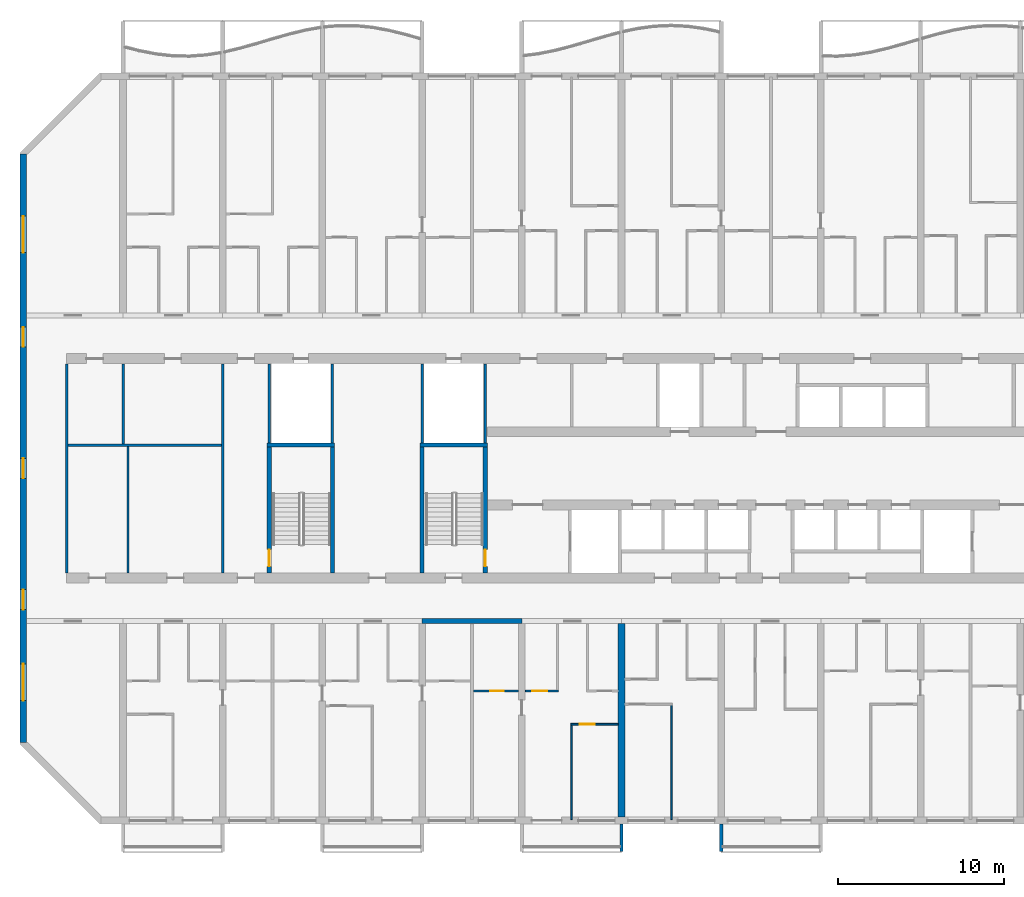
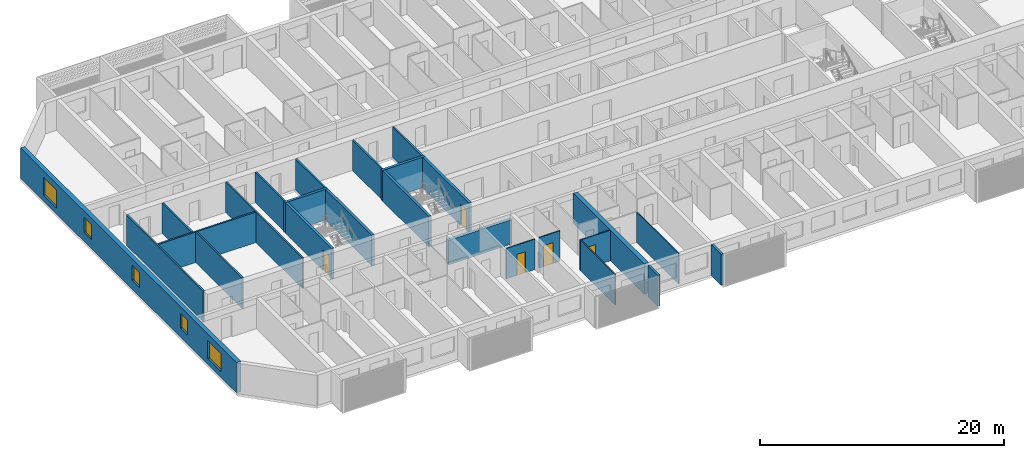
# One storey, part 3 of 39: 25 walls, 5 doors, 5 windows, 10 openings.
"""IFC4 building model written with IfcOpenShell, lengths in metres."""

from ifc_helpers import new_model, si_unit, direction, frame, frame_2d, origin, place, context, subcontext, project, spatial, polyline, rectangle, outline, extrude, source, transform, mapped, material, layer, layer_set, type_object, element, fill, save


model = new_model("IFC4")

# Units and contexts
model_context = context("Model", 3, precision=1e-05, world=origin(), true_north=direction((0.0, 1.0)))
body_context = subcontext(model_context, "Body", "Model", "MODEL_VIEW")
ifc_project = project(units=[si_unit("LENGTHUNIT", "METRE"), si_unit("AREAUNIT", "SQUARE_METRE"), si_unit("VOLUMEUNIT", "CUBIC_METRE"), si_unit("PLANEANGLEUNIT", "RADIAN"), si_unit("MASSUNIT", "GRAM", prefix="KILO")], contexts=[model_context])

# Site, building, storey
site_placement = place(None, origin())
site = spatial("IfcSite", under=ifc_project, at=site_placement, CompositionType="ELEMENT")
building_placement = place(site_placement, origin())
building = spatial("IfcBuilding", under=site, at=building_placement, Name="Poui Terraces", CompositionType="ELEMENT")
storey_placement = place(building_placement, frame((0.0, 0.0, 56.39990234375)))
storey = spatial("IfcBuildingStorey", under=building, at=storey_placement, Name="L15", CompositionType="ELEMENT", Elevation=56.39990234375)

# Walls
ifc_material_1 = material(Name="Fire-rated plasterboard wall")
ifc_layer_1 = layer(ifc_material_1, 0.14990234375)
ifc_layer_set_1 = layer_set([ifc_layer_1], Name="Fire-rated plasterboard wall")
wall_type_1 = type_object("IfcWallType", Name="CORRIDOR WALL 150", PredefinedType="PARTITIONING", material=ifc_layer_set_1)
for number, where, z_axis, x_axis, name in (
    (1, (8.60009765625, 14.909912109375, 0.0), (0.0, 0.0, 1.0), (0.0, 1.0, 0.0), "CORRIDOR WALL 150"),
    (2, (18.0, 14.909912109375, 0.0), (0.0, 0.0, 1.0), (0.0, 1.0, 0.0), "CORRIDOR WALL 150"),
):
    element("IfcWall", number, at=place(storey_placement, frame(where, z_axis=z_axis, x_axis=x_axis)), inside=storey, type_object=wall_type_1, Name=name, PredefinedType="PARTITIONING", context=body_context, shape_type="SweptSolid", body=[
        extrude(rectangle(XDim=12.580078125, YDim=0.14990234375, at=frame_2d((6.2900390625, 0.0))), origin(), (0.0, 0.0, 1.0), 3.050048828125),
    ])
ifc_material_2 = material(Name="Concrete 80 MPa", Category="concrete")
ifc_layer_2 = layer(ifc_material_2, 0.300048828125)
ifc_layer_set_2 = layer_set([ifc_layer_2], Name="Concrete 80 MPa")
wall_type_2 = type_object("IfcWallType", Name="CORRIDOR WALL 300 80MPa", PredefinedType="SHEAR", material=ifc_layer_set_2)
wall_1_placement = place(storey_placement, frame((30.0, 12.0, 0.0), z_axis=(0.0, 0.0, 1.0), x_axis=(1.0, 0.0, 0.0)))
element("IfcWall", 3, at=wall_1_placement, inside=storey, type_object=wall_type_2, Name="CORRIDOR WALL LINE B BAY 5", PredefinedType="SHEAR", context=body_context, shape_type="SweptSolid", body=[
    extrude(rectangle(XDim=6.0, YDim=0.300048828125, at=frame_2d((3.0, 0.0))), origin(), (0.0, 0.0, 1.0), 2.4501953125),
])
ifc_layer_3 = layer(ifc_material_2, 0.39990234375)
ifc_layer_set_3 = layer_set([ifc_layer_3], Name="Concrete 80 MPa")
wall_type_3 = type_object("IfcWallType", Name="CROSS WALL 400 80MPa", PredefinedType="SHEAR", material=ifc_layer_set_3)
wall_2_placement = place(storey_placement, frame((42.0, 0.199951171875, 0.0), z_axis=(0.0, 0.0, 1.0), x_axis=(0.0, 1.0, 0.0)))
element("IfcWall", 4, at=wall_2_placement, inside=storey, type_object=wall_type_3, Name="CROSS WALL LINE 8 SOUTH", PredefinedType="SHEAR", context=body_context, shape_type="SweptSolid", body=[
    extrude(rectangle(XDim=11.650146484375, YDim=0.39990234375, at=frame_2d((5.8251953125, 0.0))), origin(), (0.0, 0.0, 1.0), 3.050048828125),
])

# Wall, openings, windows
ifc_layer_4 = layer(ifc_material_2, 0.39990234375)
ifc_layer_set_4 = layer_set([ifc_layer_4], Name="Concrete 80 MPa")
wall_type_4 = type_object("IfcWallType", Name="END WALL 400 80MPa", PredefinedType="SHEAR", material=ifc_layer_set_4)
wall_3_placement = place(storey_placement, frame((6.0, 4.682861328125, 0.0), z_axis=(0.0, 0.0, 1.0), x_axis=(0.0, 1.0, 0.0)))
wall_3 = element("IfcWall", 5, at=wall_3_placement, inside=storey, type_object=wall_type_4, Name="END WALL WEST", PredefinedType="SHEAR", context=body_context, shape_type="SweptSolid", body=[
    extrude(rectangle(XDim=35.434326171875, YDim=0.39990234375, at=frame_2d((17.71728515625, 0.0))), origin(), (0.0, 0.0, 1.0), 3.050048828125),
])
opening_1_placement = place(wall_3_placement, frame((23.817138671875, 0.0, 0.89990234375)))
opening_1 = element("IfcOpeningElement", 6, at=opening_1_placement, cuts=wall_3, Name="Opening W2", PredefinedType="OPENING", context=body_context, shape_type="SweptSolid", body=[
    extrude(rectangle(XDim=1.199951171875, YDim=1.5, at=frame_2d((0.60009765625, 0.75))), frame((0.0, 0.2099609375, 0.0), z_axis=(0.0, -1.0, 0.0), x_axis=(1.0, 0.0, 0.0)), (0.0, 0.0, 1.0), 0.419921875),
])
opening_2_placement = place(wall_3_placement, frame((8.01708984375, 0.0, 0.89990234375)))
opening_2 = element("IfcOpeningElement", 7, at=opening_2_placement, cuts=wall_3, Name="Opening W2", PredefinedType="OPENING", context=body_context, shape_type="SweptSolid", body=[
    extrude(rectangle(XDim=1.199951171875, YDim=1.5, at=frame_2d((0.60009765625, 0.75))), frame((0.0, 0.2099609375, 0.0), z_axis=(0.0, -1.0, 0.0), x_axis=(1.0, 0.0, 0.0)), (0.0, 0.0, 1.0), 0.419921875),
])
opening_3_placement = place(wall_3_placement, frame((15.917236328125, 0.0, 0.89990234375)))
opening_3 = element("IfcOpeningElement", 8, at=opening_3_placement, cuts=wall_3, Name="Opening W2", PredefinedType="OPENING", context=body_context, shape_type="SweptSolid", body=[
    extrude(rectangle(XDim=1.199951171875, YDim=1.5, at=frame_2d((0.60009765625, 0.75))), frame((0.0, 0.2099609375, 0.0), z_axis=(0.0, -1.0, 0.0), x_axis=(1.0, 0.0, 0.0)), (0.0, 0.0, 1.0), 0.419921875),
])
opening_4_placement = place(wall_3_placement, frame((29.493408203125, 0.0, 0.60009765625)))
opening_4 = element("IfcOpeningElement", 9, at=opening_4_placement, cuts=wall_3, Name="Opening W3", PredefinedType="OPENING", context=body_context, shape_type="SweptSolid", body=[
    extrude(rectangle(XDim=2.199951171875, YDim=1.800048828125, at=frame_2d((1.10009765625, 0.89990234375))), frame((0.0, 0.2099609375, 0.0), z_axis=(0.0, -1.0, 0.0), x_axis=(1.0, 0.0, 0.0)), (0.0, 0.0, 1.0), 0.419921875),
])
opening_5_placement = place(wall_3_placement, frame((2.541015625, 0.0, 0.60009765625)))
opening_5 = element("IfcOpeningElement", 10, at=opening_5_placement, cuts=wall_3, Name="Opening W3", PredefinedType="OPENING", context=body_context, shape_type="SweptSolid", body=[
    extrude(rectangle(XDim=2.199951171875, YDim=1.800048828125, at=frame_2d((1.10009765625, 0.89990234375))), frame((0.0, 0.2099609375, 0.0), z_axis=(0.0, -1.0, 0.0), x_axis=(1.0, 0.0, 0.0)), (0.0, 0.0, 1.0), 0.419921875),
])
ifc_material_3 = material(Name="Clear glass in aluminium frame", Category="aluminium")
window_type_1 = type_object("IfcWindowType", Name="WINDOW 1200X1500", PartitioningType="SINGLE_PANEL", PredefinedType="WINDOW", material=ifc_material_3)
window_1_placement = place(opening_1_placement, origin())
window_1 = element("IfcWindow", 11, at=window_1_placement, inside=storey, type_object=window_type_1, Name="W2 WINDOW", OverallHeight=1.5, OverallWidth=1.199951171875, PartitioningType="SINGLE_PANEL", PredefinedType="WINDOW", context=body_context, shape_type="SweptSolid", body=[
    extrude(rectangle(XDim=1.199951171875, YDim=1.5, at=frame_2d((0.60009765625, 0.75))), frame((0.0, 0.030029296875, 0.0), z_axis=(0.0, -1.0, 0.0), x_axis=(1.0, 0.0, 0.0)), (0.0, 0.0, 1.0), 0.06005859375),
])
fill(opening_1, window_1)
window_2_placement = place(opening_2_placement, origin())
window_2 = element("IfcWindow", 12, at=window_2_placement, inside=storey, type_object=window_type_1, Name="W2 WINDOW", OverallHeight=1.5, OverallWidth=1.199951171875, PartitioningType="SINGLE_PANEL", PredefinedType="WINDOW", context=body_context, shape_type="SweptSolid", body=[
    extrude(rectangle(XDim=1.199951171875, YDim=1.5, at=frame_2d((0.60009765625, 0.75))), frame((0.0, 0.030029296875, 0.0), z_axis=(0.0, -1.0, 0.0), x_axis=(1.0, 0.0, 0.0)), (0.0, 0.0, 1.0), 0.06005859375),
])
fill(opening_2, window_2)
window_3_placement = place(opening_3_placement, origin())
window_3 = element("IfcWindow", 13, at=window_3_placement, inside=storey, type_object=window_type_1, Name="W2 WINDOW", OverallHeight=1.5, OverallWidth=1.199951171875, PartitioningType="SINGLE_PANEL", PredefinedType="WINDOW", context=body_context, shape_type="SweptSolid", body=[
    extrude(rectangle(XDim=1.199951171875, YDim=1.5, at=frame_2d((0.60009765625, 0.75))), frame((0.0, 0.030029296875, 0.0), z_axis=(0.0, -1.0, 0.0), x_axis=(1.0, 0.0, 0.0)), (0.0, 0.0, 1.0), 0.06005859375),
])
fill(opening_3, window_3)
window_type_2 = type_object("IfcWindowType", Name="WINDOW 2200X1800", PartitioningType="DOUBLE_PANEL_HORIZONTAL", PredefinedType="WINDOW", material=ifc_material_3)
window_4_placement = place(opening_4_placement, origin())
window_4 = element("IfcWindow", 14, at=window_4_placement, inside=storey, type_object=window_type_2, Name="W3 WINDOW", OverallHeight=1.800048828125, OverallWidth=2.199951171875, PartitioningType="DOUBLE_PANEL_HORIZONTAL", PredefinedType="WINDOW", context=body_context, shape_type="SweptSolid", body=[
    extrude(rectangle(XDim=2.199951171875, YDim=1.800048828125, at=frame_2d((1.10009765625, 0.89990234375))), frame((0.0, 0.030029296875, 0.0), z_axis=(0.0, -1.0, 0.0), x_axis=(1.0, 0.0, 0.0)), (0.0, 0.0, 1.0), 0.06005859375),
])
fill(opening_4, window_4)
window_5_placement = place(opening_5_placement, origin())
window_5 = element("IfcWindow", 15, at=window_5_placement, inside=storey, type_object=window_type_2, Name="W3 WINDOW", OverallHeight=1.800048828125, OverallWidth=2.199951171875, PartitioningType="DOUBLE_PANEL_HORIZONTAL", PredefinedType="WINDOW", context=body_context, shape_type="SweptSolid", body=[
    extrude(rectangle(XDim=2.199951171875, YDim=1.800048828125, at=frame_2d((1.10009765625, 0.89990234375))), frame((0.0, 0.030029296875, 0.0), z_axis=(0.0, -1.0, 0.0), x_axis=(1.0, 0.0, 0.0)), (0.0, 0.0, 1.0), 0.06005859375),
])
fill(opening_5, window_5)

# Wall, opening, door
ifc_material_4 = material(Name="Plasterboard partition")
ifc_layer_5 = layer(ifc_material_4, 0.10009765625)
ifc_layer_set_5 = layer_set([ifc_layer_5], Name="Plasterboard partition")
wall_type_5 = type_object("IfcWallType", Name="FLAT PARTITION 100", PredefinedType="PARTITIONING", material=ifc_layer_set_5)
wall_4_placement = place(storey_placement, frame((38.949951171875, 5.800048828125, 0.0), z_axis=(0.0, 0.0, 1.0), x_axis=(1.0, 0.0, 0.0)))
wall_4 = element("IfcWall", 16, at=wall_4_placement, inside=storey, type_object=wall_type_5, Name="FLAT PARTITION 100", PredefinedType="PARTITIONING", context=body_context, shape_type="SweptSolid", body=[
    extrude(rectangle(XDim=2.840087890625, YDim=0.10009765625, at=frame_2d((1.419921875, 0.0))), origin(), (0.0, 0.0, 1.0), 3.050048828125),
])
opening_6_placement = place(wall_4_placement, frame((0.550048828125, 0.0, 0.0)))
opening_6 = element("IfcOpeningElement", 17, at=opening_6_placement, cuts=wall_4, Name="Opening D90", PredefinedType="OPENING", context=body_context, shape_type="SweptSolid", body=[
    extrude(rectangle(XDim=0.89990234375, YDim=2.10009765625, at=frame_2d((0.449951171875, 1.050048828125))), frame((0.0, 0.06005859375, 0.0), z_axis=(0.0, -1.0, 0.0), x_axis=(1.0, 0.0, 0.0)), (0.0, 0.0, 1.0), 0.1201171875),
])
ifc_material_5 = material(Name="Solid core timber door", Category="wood")
door_type_1 = type_object("IfcDoorType", Name="INTERNAL DOOR 900 X 2100", OperationType="NOTDEFINED", PredefinedType="DOOR", material=ifc_material_5)
door_1_placement = place(opening_6_placement, origin())
door_1 = element("IfcDoor", 18, at=door_1_placement, inside=storey, type_object=door_type_1, Name="INTERNAL DOOR 103", OperationType="SINGLE_SWING_RIGHT", OverallHeight=2.10009765625, OverallWidth=0.89990234375, PredefinedType="DOOR", context=body_context, shape_type="SweptSolid", body=[
    extrude(rectangle(XDim=0.89990234375, YDim=2.10009765625, at=frame_2d((0.449951171875, 1.050048828125))), frame((0.0, 0.02490234375, 0.0), z_axis=(0.0, -1.0, 0.0), x_axis=(1.0, 0.0, 0.0)), (0.0, 0.0, 1.0), 0.050048828125),
])
fill(opening_6, door_1)

wall_5_placement = place(storey_placement, frame((33.10009765625, 7.800048828125, 0.0), z_axis=(0.0, 0.0, 1.0), x_axis=(1.0, 0.0, 0.0)))
wall_5 = element("IfcWall", 19, at=wall_5_placement, inside=storey, type_object=wall_type_5, Name="FLAT PARTITION 100", PredefinedType="PARTITIONING", context=body_context, shape_type="SweptSolid", body=[
    extrude(rectangle(XDim=2.68994140625, YDim=0.10009765625, at=frame_2d((1.344970703125, 0.0))), origin(), (0.0, 0.0, 1.0), 3.050048828125),
])
opening_7_placement = place(wall_5_placement, frame((1.0, 0.0, 0.0)))
opening_7 = element("IfcOpeningElement", 20, at=opening_7_placement, cuts=wall_5, Name="Opening D80", PredefinedType="OPENING", context=body_context, shape_type="SweptSolid", body=[
    extrude(rectangle(XDim=0.800048828125, YDim=2.10009765625, at=frame_2d((0.39990234375, 1.050048828125))), frame((0.0, 0.06005859375, 0.0), z_axis=(0.0, -1.0, 0.0), x_axis=(1.0, 0.0, 0.0)), (0.0, 0.0, 1.0), 0.1201171875),
])
door_type_2 = type_object("IfcDoorType", Name="BATHROOM, LAUNDRY AND STORE DOOR 800 X 2100", OperationType="NOTDEFINED", PredefinedType="DOOR", material=ifc_material_5)
door_2_placement = place(opening_7_placement, origin())
door_2 = element("IfcDoor", 21, at=door_2_placement, inside=storey, type_object=door_type_2, Name="BATHROOM, LAUNDRY AND STORE DOOR 099", OperationType="SINGLE_SWING_RIGHT", OverallHeight=2.10009765625, OverallWidth=0.800048828125, PredefinedType="DOOR", context=body_context, shape_type="SweptSolid", body=[
    extrude(rectangle(XDim=0.800048828125, YDim=2.10009765625, at=frame_2d((0.39990234375, 1.050048828125))), frame((0.0, 0.02490234375, 0.0), z_axis=(0.0, -1.0, 0.0), x_axis=(1.0, 0.0, 0.0)), (0.0, 0.0, 1.0), 0.050048828125),
])
fill(opening_7, door_2)

wall_6_placement = place(storey_placement, frame((36.2099609375, 7.800048828125, 0.0), z_axis=(0.0, 0.0, 1.0), x_axis=(1.0, 0.0, 0.0)))
wall_6 = element("IfcWall", 22, at=wall_6_placement, inside=storey, type_object=wall_type_5, Name="FLAT PARTITION 100", PredefinedType="PARTITIONING", context=body_context, shape_type="SweptSolid", body=[
    extrude(rectangle(XDim=1.989990234375, YDim=0.10009765625, at=frame_2d((0.9951171875, 0.0))), origin(), (0.0, 0.0, 1.0), 3.050048828125),
])
opening_8_placement = place(wall_6_placement, frame((0.4150390625, 0.0, 0.0)))
opening_8 = element("IfcOpeningElement", 23, at=opening_8_placement, cuts=wall_6, Name="Opening D90", PredefinedType="OPENING", context=body_context, shape_type="SweptSolid", body=[
    extrude(rectangle(XDim=0.89990234375, YDim=2.10009765625, at=frame_2d((0.449951171875, 1.050048828125))), frame((0.0, 0.06005859375, 0.0), z_axis=(0.0, -1.0, 0.0), x_axis=(1.0, 0.0, 0.0)), (0.0, 0.0, 1.0), 0.1201171875),
])
door_3_placement = place(opening_8_placement, origin())
door_3 = element("IfcDoor", 24, at=door_3_placement, inside=storey, type_object=door_type_1, Name="INTERNAL DOOR 101", OperationType="SINGLE_SWING_RIGHT", OverallHeight=2.10009765625, OverallWidth=0.89990234375, PredefinedType="DOOR", context=body_context, shape_type="SweptSolid", body=[
    extrude(rectangle(XDim=0.89990234375, YDim=2.10009765625, at=frame_2d((0.449951171875, 1.050048828125))), frame((0.0, 0.02490234375, 0.0), z_axis=(0.0, -1.0, 0.0), x_axis=(1.0, 0.0, 0.0)), (0.0, 0.0, 1.0), 0.050048828125),
])
fill(opening_8, door_3)

# Walls
wall_7_placement = place(storey_placement, frame((39.0, 0.06005859375, 0.0), z_axis=(0.0, 0.0, 1.0), x_axis=(0.0, 1.0, 0.0)))
element("IfcWall", 25, at=wall_7_placement, inside=storey, type_object=wall_type_5, Name="FLAT PARTITION 100", PredefinedType="PARTITIONING", context=body_context, shape_type="SweptSolid", body=[
    extrude(rectangle(XDim=5.68994140625, YDim=0.10009765625, at=frame_2d((2.844970703125, 0.0))), origin(), (0.0, 0.0, 1.0), 3.050048828125),
])
wall_8_placement = place(storey_placement, frame((45.0, 0.06005859375, 0.0), z_axis=(0.0, 0.0, 1.0), x_axis=(0.0, 1.0, 0.0)))
element("IfcWall", 26, at=wall_8_placement, inside=storey, type_object=wall_type_5, Name="FLAT PARTITION 100", PredefinedType="PARTITIONING", context=body_context, shape_type="SweptSolid", body=[
    extrude(rectangle(XDim=6.889892578125, YDim=0.10009765625, at=frame_2d((3.44482421875, 0.0))), origin(), (0.0, 0.0, 1.0), 3.050048828125),
])
ifc_layer_6 = layer(ifc_material_4, 0.14990234375)
ifc_layer_set_6 = layer_set([ifc_layer_6], Name="Plasterboard partition")
wall_type_6 = type_object("IfcWallType", Name="PARTITION WALL 150", PredefinedType="PARTITIONING", material=ifc_layer_set_6)
wall_9_placement = place(storey_placement, frame((8.675048828125, 22.60009765625, 0.0), z_axis=(0.0, 0.0, 1.0), x_axis=(1.0, 0.0, 0.0)))
element("IfcWall", 27, at=wall_9_placement, inside=storey, type_object=wall_type_6, Name="PARTITION WALL 150", PredefinedType="PARTITIONING", context=body_context, shape_type="SweptSolid", body=[
    extrude(rectangle(XDim=9.25, YDim=0.14990234375, at=frame_2d((4.625, 0.0))), origin(), (0.0, 0.0, 1.0), 3.050048828125),
])
wall_10_placement = place(storey_placement, frame((12.0, 22.675048828125, 0.0), z_axis=(0.0, 0.0, 1.0), x_axis=(0.0, 1.0, 0.0)))
element("IfcWall", 28, at=wall_10_placement, inside=storey, type_object=wall_type_6, Name="PARTITION WALL 150", PredefinedType="PARTITIONING", context=body_context, shape_type="SweptSolid", body=[
    extrude(rectangle(XDim=4.81494140625, YDim=0.14990234375, at=frame_2d((2.407470703125, 0.0))), origin(), (0.0, 0.0, 1.0), 3.050048828125),
])
wall_11_placement = place(storey_placement, frame((12.300048828125, 14.909912109375, 0.0), z_axis=(0.0, 0.0, 1.0), x_axis=(0.0, 1.0, 0.0)))
element("IfcWall", 29, at=wall_11_placement, inside=storey, type_object=wall_type_6, Name="PARTITION WALL 150", PredefinedType="PARTITIONING", context=body_context, shape_type="SweptSolid", body=[
    extrude(rectangle(XDim=7.614990234375, YDim=0.14990234375, at=frame_2d((3.8076171875, 0.0))), origin(), (0.0, 0.0, 1.0), 3.050048828125),
])
ifc_material_6 = material(Name="Fire-rated plasterboard riser wall")
ifc_layer_7 = layer(ifc_material_6, 0.14990234375)
ifc_layer_set_7 = layer_set([ifc_layer_7], Name="Fire-rated plasterboard riser wall")
wall_type_7 = type_object("IfcWallType", Name="RISER WALL 150", PredefinedType="PARTITIONING", material=ifc_layer_set_7)
for number, where, z_axis, x_axis, name in (
    (30, (20.800048828125, 22.735107421875, 0.0), (0.0, 0.0, 1.0), (0.0, 1.0, 0.0), "RISER WALL 150"),
    (31, (24.60009765625, 22.735107421875, 0.0), (0.0, 0.0, 1.0), (0.0, 1.0, 0.0), "RISER WALL 150"),
    (32, (30.0, 22.735107421875, 0.0), (0.0, 0.0, 1.0), (0.0, 1.0, 0.0), "RISER WALL 150"),
    (33, (33.800048828125, 22.735107421875, 0.0), (0.0, 0.0, 1.0), (0.0, 1.0, 0.0), "RISER WALL 150"),
):
    element("IfcWall", number, at=place(storey_placement, frame(where, z_axis=z_axis, x_axis=x_axis)), inside=storey, type_object=wall_type_7, Name=name, PredefinedType="PARTITIONING", context=body_context, shape_type="SweptSolid", body=[
        extrude(rectangle(XDim=4.7548828125, YDim=0.14990234375, at=frame_2d((2.37744140625, 0.0))), origin(), (0.0, 0.0, 1.0), 3.050048828125),
    ])
ifc_layer_8 = layer(ifc_material_2, 0.25)
ifc_layer_set_8 = layer_set([ifc_layer_8], Name="Concrete 80 MPa")
wall_type_8 = type_object("IfcWallType", Name="STAIR CORE WALL 250 80 MPA", PredefinedType="SOLIDWALL", material=ifc_layer_set_8)
wall_12_placement = place(storey_placement, frame((30.0, 14.89990234375, 0.0), z_axis=(0.0, 0.0, 1.0), x_axis=(0.0, 1.0, 0.0)))
element("IfcWall", 34, at=wall_12_placement, inside=storey, type_object=wall_type_8, Name="STAIR CORE WALL", PredefinedType="SOLIDWALL", context=body_context, shape_type="SweptSolid", body=[
    extrude(rectangle(XDim=7.5751953125, YDim=0.25, at=frame_2d((3.78759765625, 0.0))), origin(), (0.0, 0.0, 1.0), 3.050048828125),
])

# Wall, opening, door
wall_13_placement = place(storey_placement, frame((33.800048828125, 14.89990234375, 0.0), z_axis=(0.0, 0.0, 1.0), x_axis=(0.0, 1.0, 0.0)))
wall_13 = element("IfcWall", 35, at=wall_13_placement, inside=storey, type_object=wall_type_8, Name="STAIR CORE WALL", PredefinedType="SOLIDWALL", context=body_context, shape_type="SweptSolid", body=[
    extrude(rectangle(XDim=7.5751953125, YDim=0.25, at=frame_2d((3.78759765625, 0.0))), origin(), (0.0, 0.0, 1.0), 3.050048828125),
])
opening_9_placement = place(wall_13_placement, frame((0.39990234375, 0.0, 0.0)))
opening_9 = element("IfcOpeningElement", 36, at=opening_9_placement, cuts=wall_13, Name="Opening FD60S", PredefinedType="OPENING", context=body_context, shape_type="SweptSolid", body=[
    extrude(rectangle(XDim=1.0, YDim=2.10009765625, at=frame_2d((0.5, 1.050048828125))), frame((0.0, 0.135009765625, 0.0), z_axis=(0.0, -1.0, 0.0), x_axis=(1.0, 0.0, 0.0)), (0.0, 0.0, 1.0), 0.27001953125),
])
ifc_material_7 = material(Name="Steel fire door", Category="steel")
door_type_3 = type_object("IfcDoorType", Name="STAIR DOOR 1000 X 2100", OperationType="NOTDEFINED", PredefinedType="DOOR", material=ifc_material_7)
door_4_placement = place(opening_9_placement, origin())
door_4 = element("IfcDoor", 37, at=door_4_placement, inside=storey, type_object=door_type_3, Name="STAIR DOOR 137", OperationType="SINGLE_SWING_LEFT", OverallHeight=2.10009765625, OverallWidth=1.0, PredefinedType="DOOR", context=body_context, shape_type="SweptSolid", body=[
    extrude(rectangle(XDim=1.0, YDim=2.10009765625, at=frame_2d((0.5, 1.050048828125))), frame((0.0, 0.02490234375, 0.0), z_axis=(0.0, -1.0, 0.0), x_axis=(1.0, 0.0, 0.0)), (0.0, 0.0, 1.0), 0.050048828125),
])
fill(opening_9, door_4)

# Wall
wall_14_placement = place(storey_placement, frame((29.875, 22.60009765625, 0.0), z_axis=(0.0, 0.0, 1.0), x_axis=(1.0, 0.0, 0.0)))
element("IfcWall", 38, at=wall_14_placement, inside=storey, type_object=wall_type_8, Name="STAIR CORE WALL", PredefinedType="SOLIDWALL", context=body_context, shape_type="SweptSolid", body=[
    extrude(rectangle(XDim=4.050048828125, YDim=0.25, at=frame_2d((2.02490234375, 0.0))), origin(), (0.0, 0.0, 1.0), 3.050048828125),
])

# Wall, opening, door
wall_15_placement = place(storey_placement, frame((20.800048828125, 14.89990234375, 0.0), z_axis=(0.0, 0.0, 1.0), x_axis=(0.0, 1.0, 0.0)))
wall_15 = element("IfcWall", 39, at=wall_15_placement, inside=storey, type_object=wall_type_8, Name="STAIR CORE WALL", PredefinedType="SOLIDWALL", context=body_context, shape_type="SweptSolid", body=[
    extrude(rectangle(XDim=7.5751953125, YDim=0.25, at=frame_2d((3.78759765625, 0.0))), origin(), (0.0, 0.0, 1.0), 3.050048828125),
])
opening_10_placement = place(wall_15_placement, frame((0.39990234375, 0.0, 0.0)))
opening_10 = element("IfcOpeningElement", 40, at=opening_10_placement, cuts=wall_15, Name="Opening FD60S", PredefinedType="OPENING", context=body_context, shape_type="SweptSolid", body=[
    extrude(rectangle(XDim=1.0, YDim=2.10009765625, at=frame_2d((0.5, 1.050048828125))), frame((0.0, 0.135009765625, 0.0), z_axis=(0.0, -1.0, 0.0), x_axis=(1.0, 0.0, 0.0)), (0.0, 0.0, 1.0), 0.27001953125),
])
door_5_placement = place(opening_10_placement, frame((1.0, 0.0, 0.0), z_axis=(0.0, 0.0, 1.0), x_axis=(-1.0, 0.0, 0.0)))
door_5 = element("IfcDoor", 41, at=door_5_placement, inside=storey, type_object=door_type_3, Name="STAIR DOOR 151", OperationType="SINGLE_SWING_RIGHT", OverallHeight=2.10009765625, OverallWidth=1.0, PredefinedType="DOOR", context=body_context, shape_type="SweptSolid", body=[
    extrude(rectangle(XDim=1.0, YDim=2.10009765625, at=frame_2d((0.5, 1.050048828125))), frame((0.0, 0.02490234375, 0.0), z_axis=(0.0, -1.0, 0.0), x_axis=(1.0, 0.0, 0.0)), (0.0, 0.0, 1.0), 0.050048828125),
])
fill(opening_10, door_5)

# Walls
wall_16_placement = place(storey_placement, frame((24.60009765625, 14.89990234375, 0.0), z_axis=(0.0, 0.0, 1.0), x_axis=(0.0, 1.0, 0.0)))
element("IfcWall", 42, at=wall_16_placement, inside=storey, type_object=wall_type_8, Name="STAIR CORE WALL", PredefinedType="SOLIDWALL", context=body_context, shape_type="SweptSolid", body=[
    extrude(rectangle(XDim=7.5751953125, YDim=0.25, at=frame_2d((3.78759765625, 0.0))), origin(), (0.0, 0.0, 1.0), 3.050048828125),
])
wall_17_placement = place(storey_placement, frame((20.675048828125, 22.60009765625, 0.0), z_axis=(0.0, 0.0, 1.0), x_axis=(1.0, 0.0, 0.0)))
element("IfcWall", 43, at=wall_17_placement, inside=storey, type_object=wall_type_8, Name="STAIR CORE WALL", PredefinedType="SOLIDWALL", context=body_context, shape_type="SweptSolid", body=[
    extrude(rectangle(XDim=4.050048828125, YDim=0.25, at=frame_2d((2.02490234375, 0.0))), origin(), (0.0, 0.0, 1.0), 3.050048828125),
])
ifc_material_8 = material(Name="Precast concrete 40 MPa", Category="concrete")
ifc_layer_9 = layer(ifc_material_8, 0.199951171875)
ifc_layer_set_9 = layer_set([ifc_layer_9], Name="Precast concrete 40 MPa")
wall_type_9 = type_object("IfcWallType", Name="REAR FIN 200", PredefinedType="STANDARD", material=ifc_layer_set_9)
shared_shape = source(origin(), body_context, "Body", "SweptSolid", [
    extrude(outline(polyline([(0.0, 0.0), (0.2001953125, 0.0), (0.2001953125, 1.650146484375), (0.0, 1.650146484375), (0.0, 0.0)])), origin(), (0.0, 0.0, 1.0), 3.10009765625),
])
for number, where, name in (
    (44, (41.89990234375, -1.85009765625, 0.0), "REAR FIN"),
    (45, (47.89990234375, -1.85009765625, 0.0), "REAR FIN"),
):
    element("IfcWall", number, at=place(storey_placement, frame(where)), inside=storey, type_object=wall_type_9, Name=name, PredefinedType="STANDARD", context=body_context, shape_type="MappedRepresentation", body=[
        mapped(shared_shape, transform((0.0, 0.0, 0.0))),
    ])

save(model, "model.ifc")
